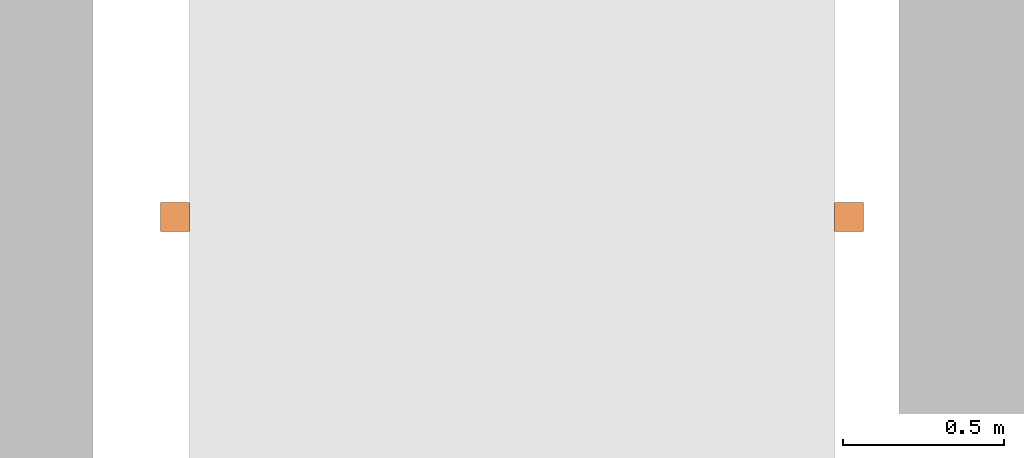
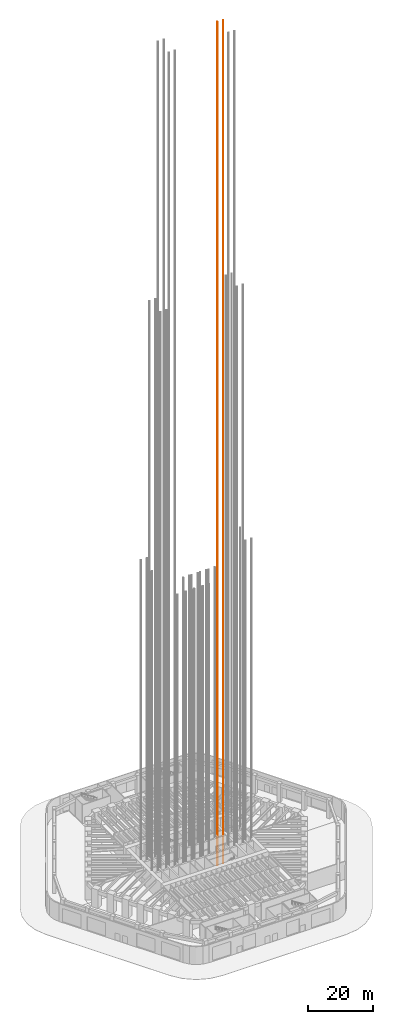
# One storey, part 22 of 23: 1 proxy.
"""IFC4 building model written with IfcOpenShell, lengths in metres."""

from ifc_helpers import new_model, si_unit, direction, frame, frame_2d, origin, origin_2d, place, context, subcontext, project, spatial, rectangle, extrude, material, element, save


model = new_model("IFC4")

# Units and contexts
model_context = context("Model", 3, precision=1e-05, world=origin(), true_north=direction((0.0, 1.0)))
body_context = subcontext(model_context, "Body", "Model", "MODEL_VIEW")
ifc_project = project(units=[si_unit("LENGTHUNIT", "METRE"), si_unit("AREAUNIT", "SQUARE_METRE"), si_unit("VOLUMEUNIT", "CUBIC_METRE"), si_unit("PLANEANGLEUNIT", "RADIAN"), si_unit("MASSUNIT", "GRAM", prefix="KILO")], contexts=[model_context])

# Site, building, storey
site_placement = place(None, origin())
site = spatial("IfcSite", under=ifc_project, at=site_placement, CompositionType="ELEMENT")
building_placement = place(site_placement, origin())
building = spatial("IfcBuilding", under=site, at=building_placement, Name="Tarfa Lantern Tower", CompositionType="ELEMENT")
storey_placement = place(building_placement, origin())
storey = spatial("IfcBuildingStorey", under=building, at=storey_placement, Name="L00", CompositionType="ELEMENT", Elevation=0.0)

# Proxy
ifc_material = material(Name="Steel S355", Category="steel")
proxy_placement = place(storey_placement, frame((9.455078125, 3.39990234375, -4.5), z_axis=(0.0, 0.0, 1.0), x_axis=(1.0, 0.0, 0.0)))
element("IfcBuildingElementProxy", 1, at=proxy_placement, inside=storey, material=ifc_material, Name="Guide rails S10", PredefinedType="NOTDEFINED", context=body_context, shape_type="SweptSolid", body=[
    extrude(rectangle(XDim=0.090087890625, YDim=0.090087890625, at=origin_2d()), origin(), (0.0, 0.0, 1.0), 315.449951171875),
    extrude(rectangle(XDim=0.090087890625, YDim=0.090087890625, at=frame_2d((2.08984375, 0.0))), origin(), (0.0, 0.0, 1.0), 315.449951171875),
])

save(model, "model.ifc")
